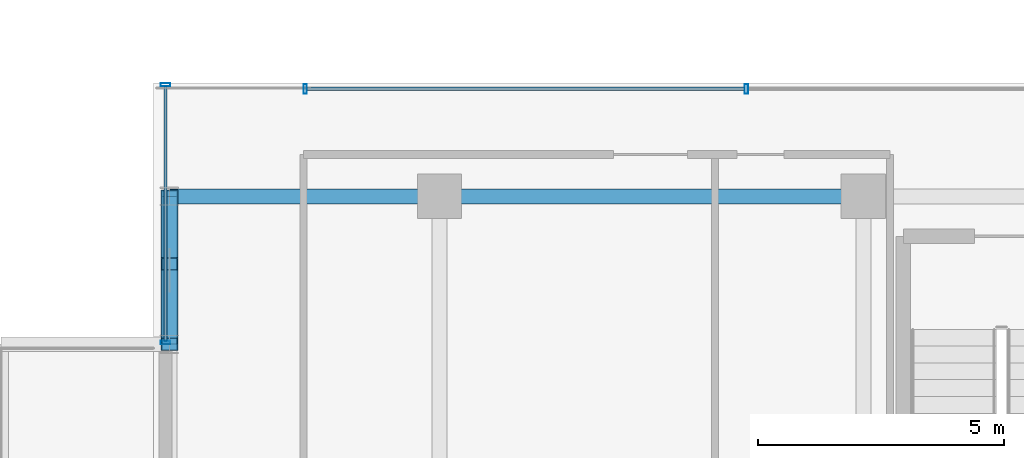
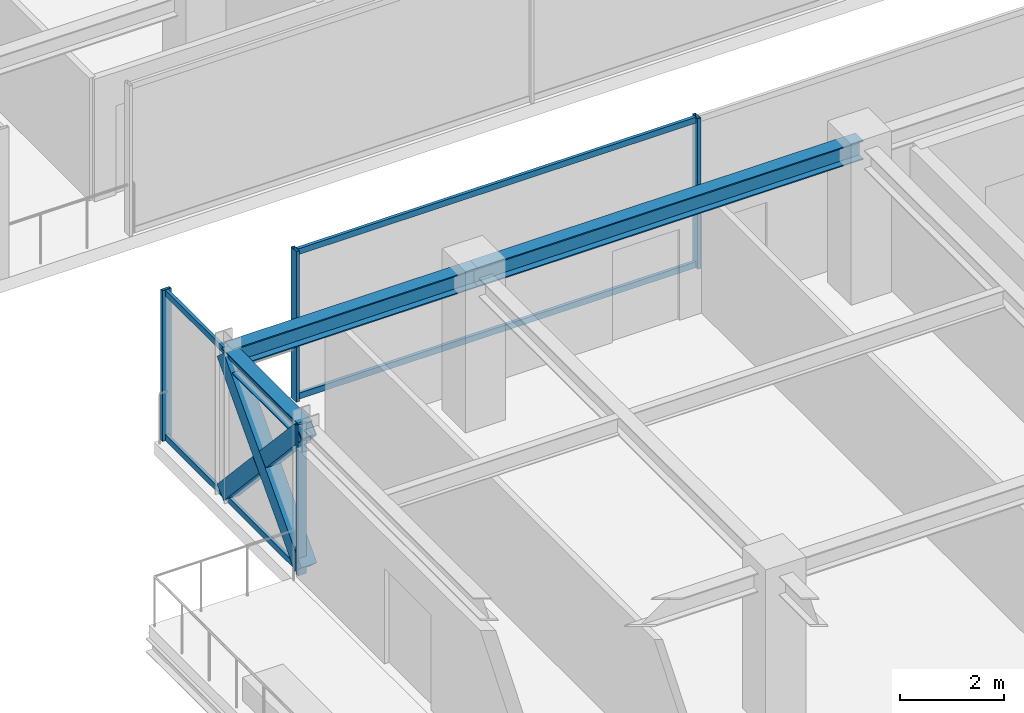
# One storey, part 9 of 37: 11 members, 3 beams, 2 elements without a shape of their own.
"""IFC4 building model written with IfcOpenShell, lengths in metres."""

from ifc_helpers import new_model, si_unit, direction, frame, origin, origin_2d, place, context, subcontext, project, spatial, hollow_rectangle, i_section, extrude, source, transform, mapped, material, material_profile, profile_set, type_object, element, aggregate, save


model = new_model("IFC4")

# Units and contexts
model_context = context("Model", 3, precision=1e-05, world=origin(), true_north=direction((0.0, 1.0)))
body_context = subcontext(model_context, "Body", "Model", "MODEL_VIEW")
ifc_project = project(units=[si_unit("LENGTHUNIT", "METRE"), si_unit("AREAUNIT", "SQUARE_METRE"), si_unit("VOLUMEUNIT", "CUBIC_METRE"), si_unit("PLANEANGLEUNIT", "RADIAN"), si_unit("MASSUNIT", "GRAM", prefix="KILO")], contexts=[model_context])

# Site, building, storey
site_placement = place(None, origin())
site = spatial("IfcSite", under=ifc_project, at=site_placement, CompositionType="ELEMENT")
building_placement = place(site_placement, origin())
building = spatial("IfcBuilding", under=site, at=building_placement, Name="Nahalor Promenade Grand Hotel", CompositionType="ELEMENT")
storey_placement = place(building_placement, frame((0.0, 0.0, 292.64990234375)))
storey = spatial("IfcBuildingStorey", under=building, at=storey_placement, Name="L75", CompositionType="ELEMENT", Elevation=292.64990234375)

# Beams
ifc_material_1 = material(Name="Steel S355JR", Category="steel")
ifc_material_profile_1 = material_profile(ifc_material_1, i_section(OverallWidth=0.3, OverallDepth=0.45, WebThickness=0.014, FlangeThickness=0.026, at=origin_2d()), Name="HEB 450")
ifc_profile_set_1 = profile_set([ifc_material_profile_1], Name="Steel S355JR")
beam_type_1 = type_object("IfcBeamType", Name="Beam-Girder-HEB450", PredefinedType="BEAM", material=ifc_profile_set_1)
shared_shape_1 = source(origin(), body_context, "Body", "SweptSolid", [
    extrude(i_section(OverallWidth=0.3, OverallDepth=0.45, WebThickness=0.014, FlangeThickness=0.026, at=origin_2d()), origin(), (0.0, 0.0, 1.0), 8.60009765625),
])
beam_1_placement = place(storey_placement, frame((-17.0, -5.39990234375, 3.3251953125), z_axis=(1.0, 0.0, 0.0), x_axis=(0.0, 1.0, 0.0)))
element("IfcBeam", 1, at=beam_1_placement, inside=storey, type_object=beam_type_1, Name="BM-L75-GX-1-1", PredefinedType="BEAM", context=body_context, shape_type="MappedRepresentation", body=[
    mapped(shared_shape_1, transform((0.0, 0.0, 0.0), scale=1.0)),
])
shared_shape_2 = source(origin(), body_context, "Body", "SweptSolid", [
    extrude(i_section(OverallWidth=0.3, OverallDepth=0.45, WebThickness=0.014, FlangeThickness=0.026, at=origin_2d()), origin(), (0.0, 0.0, 1.0), 5.47998046875),
])
beam_2_placement = place(storey_placement, frame((-22.47998046875, -5.39990234375, 3.3251953125), z_axis=(1.0, 0.0, 0.0), x_axis=(0.0, 1.0, 0.0)))
element("IfcBeam", 2, at=beam_2_placement, inside=storey, type_object=beam_type_1, Name="BM-L75-GX-1-0", PredefinedType="BEAM", context=body_context, shape_type="MappedRepresentation", body=[
    mapped(shared_shape_2, transform((0.0, 0.0, 0.0), scale=1.0)),
])
ifc_material_profile_2 = material_profile(ifc_material_1, i_section(OverallWidth=0.3, OverallDepth=0.36, WebThickness=0.0125, FlangeThickness=0.0225, at=origin_2d()), Name="HEB 360")
ifc_profile_set_2 = profile_set([ifc_material_profile_2], Name="Steel S355JR")
beam_type_2 = type_object("IfcBeamType", Name="Beam-Spandrel-HEB360", PredefinedType="SPANDREL", material=ifc_profile_set_2)
shared_shape_3 = source(origin(), body_context, "Body", "SweptSolid", [
    extrude(i_section(OverallWidth=0.3, OverallDepth=0.36, WebThickness=0.0125, FlangeThickness=0.0225, at=origin_2d()), origin(), (0.0, 0.0, 1.0), 3.0),
])
beam_3_placement = place(storey_placement, frame((-22.47998046875, -8.39990234375, 3.3701171875), z_axis=(0.0, 1.0, 0.0), x_axis=(-1.0, 0.0, 0.0)))
element("IfcBeam", 3, at=beam_3_placement, inside=storey, type_object=beam_type_2, Name="BM-L75-SP-W-1", PredefinedType="SPANDREL", context=body_context, shape_type="MappedRepresentation", body=[
    mapped(shared_shape_3, transform((0.0, 0.0, 0.0), scale=1.0)),
])

# Members
ifc_material_profile_3 = material_profile(ifc_material_1, hollow_rectangle(XDim=0.35, YDim=0.35, WallThickness=0.02, at=origin_2d()), Name="SHS 350x350x20")
ifc_profile_set_3 = profile_set([ifc_material_profile_3], Name="Steel S355JR")
member_type_1 = type_object("IfcMemberType", Name="Mem-VoidBrace-SHS350", PredefinedType="BRACE", material=ifc_profile_set_3)
shared_shape_4 = source(origin(), body_context, "Body", "SweptSolid", [
    extrude(hollow_rectangle(XDim=0.35, YDim=0.35, WallThickness=0.02, at=origin_2d()), origin(), (0.0, 0.0, 1.0), 4.4228515625),
])
member_1_placement = place(storey_placement, frame((-22.47998046875, -8.39990234375, 0.150146484375), z_axis=(0.0, 0.678280102733, 0.734803444627), x_axis=(-1.0, 0.0, 0.0)))
element("IfcMember", 4, at=member_1_placement, inside=storey, type_object=member_type_1, Name="EXO-L75-VX1-W0", PredefinedType="BRACE", context=body_context, shape_type="MappedRepresentation", body=[
    mapped(shared_shape_4, transform((0.0, 0.0, 0.0), scale=1.0)),
])
shared_shape_5 = source(origin(), body_context, "Body", "SweptSolid", [
    extrude(hollow_rectangle(XDim=0.35, YDim=0.35, WallThickness=0.02, at=origin_2d()), origin(), (0.0, 0.0, 1.0), 2.02392578125),
])
for number, where, z_axis, x_axis, name in (
    (5, (-22.47998046875, -5.39990234375, 0.150146484375), (0.0, -0.678315173958, 0.734771069639), (1.0, 0.0, 0.0), "EXO-L75-VX2-W0A"),
    (6, (-22.47998046875, -7.027099609375, 1.912841796875), (0.0, -0.678255053132, 0.734826566545), (1.0, 0.0, 0.0), "EXO-L75-VX2-W0B"),
):
    element("IfcMember", number, at=place(storey_placement, frame(where, z_axis=z_axis, x_axis=x_axis)), inside=storey, type_object=member_type_1, Name=name, PredefinedType="BRACE", context=body_context, shape_type="MappedRepresentation", body=[
        mapped(shared_shape_5, transform((0.0, 0.0, 0.0), scale=1.0)),
    ])

# Curtain wall, members
ifc_material_2 = material(Name="Anodised Bronze Aluminium EN AW-6063 T6", Category="aluminium")
curtain_wall_type = type_object("IfcCurtainWallType", Name="CW3 Elliptical-Void Collar Unitised Curtain Wall", PredefinedType="USERDEFINED", material=ifc_material_2)
curtain_wall_1_placement = place(storey_placement, origin())
curtain_wall_1 = element("IfcCurtainWall", 7, at=curtain_wall_1_placement, inside=storey, type_object=curtain_wall_type, Name="L75 Curtain Wall CW-L75-W-3", ObjectType="UNITISED_CURTAIN_WALL", PredefinedType="USERDEFINED")
ifc_material_profile_4 = material_profile(ifc_material_2, hollow_rectangle(XDim=0.07, YDim=0.14, WallThickness=0.004, at=origin_2d()), Name="CWT 70x140x4")
ifc_profile_set_4 = profile_set([ifc_material_profile_4], Name="Anodised Bronze Aluminium EN AW-6063 T6")
member_type_2 = type_object("IfcMemberType", Name="CWT3 Void Collar Transom 70x140", PredefinedType="USERDEFINED", material=ifc_profile_set_4)
shared_shape_6 = source(origin(), body_context, "Body", "SweptSolid", [
    extrude(hollow_rectangle(XDim=0.07, YDim=0.14, WallThickness=0.004, at=origin_2d()), origin(), (0.0, 0.0, 1.0), 5.16015625),
])
member_2_placement = place(storey_placement, frame((-22.56005859375, -8.330078125, 0.070068359375), z_axis=(0.0, 1.0, 0.0), x_axis=(-1.0, 0.0, 0.0)))
member_2 = element("IfcMember", 8, at=member_2_placement, type_object=member_type_2, Name="CW-L75-W-3 Transom 0-0", ObjectType="TRANSOM", PredefinedType="USERDEFINED", context=body_context, shape_type="MappedRepresentation", body=[
    mapped(shared_shape_6, transform((0.0, 0.0, 0.0), scale=1.0)),
])
member_3_placement = place(storey_placement, frame((-22.56005859375, -8.330078125, 3.47998046875), z_axis=(0.0, 1.0, 0.0), x_axis=(-1.0, 0.0, 0.0)))
member_3 = element("IfcMember", 9, at=member_3_placement, type_object=member_type_2, Name="CW-L75-W-3 Transom 0-1", ObjectType="TRANSOM", PredefinedType="USERDEFINED", context=body_context, shape_type="MappedRepresentation", body=[
    mapped(shared_shape_6, transform((0.0, 0.0, 0.0), scale=1.0)),
])

curtain_wall_2_placement = place(storey_placement, origin())
curtain_wall_2 = element("IfcCurtainWall", 10, at=curtain_wall_2_placement, inside=storey, type_object=curtain_wall_type, Name="L75 Curtain Wall CW-L75-VOID-WS1", ObjectType="UNITISED_CURTAIN_WALL", PredefinedType="USERDEFINED")
shared_shape_7 = source(origin(), body_context, "Body", "SweptSolid", [
    extrude(hollow_rectangle(XDim=0.07, YDim=0.14, WallThickness=0.004, at=origin_2d()), origin(), (0.0, 0.0, 1.0), 8.881591796875),
])
member_4_placement = place(storey_placement, frame((-19.68994140625, -3.219970703125, 0.070068359375), z_axis=(1.0, 0.0, 0.0), x_axis=(0.0, 1.0, 0.0)))
member_4 = element("IfcMember", 11, at=member_4_placement, type_object=member_type_2, Name="CW-L75-VOID-WS1 Transom 0-0", ObjectType="TRANSOM", PredefinedType="USERDEFINED", context=body_context, shape_type="MappedRepresentation", body=[
    mapped(shared_shape_7, transform((0.0, 0.0, 0.0), scale=1.0)),
])
member_5_placement = place(storey_placement, frame((-19.68994140625, -3.219970703125, 3.47998046875), z_axis=(1.0, 0.0, 0.0), x_axis=(0.0, 1.0, 0.0)))
member_5 = element("IfcMember", 12, at=member_5_placement, type_object=member_type_2, Name="CW-L75-VOID-WS1 Transom 0-1", ObjectType="TRANSOM", PredefinedType="USERDEFINED", context=body_context, shape_type="MappedRepresentation", body=[
    mapped(shared_shape_7, transform((0.0, 0.0, 0.0), scale=1.0)),
])

# Member
ifc_material_profile_5 = material_profile(ifc_material_2, hollow_rectangle(XDim=0.07, YDim=0.2, WallThickness=0.005, at=origin_2d()), Name="CWM 70x200x5")
ifc_profile_set_5 = profile_set([ifc_material_profile_5], Name="Anodised Bronze Aluminium EN AW-6063 T6")
member_type_3 = type_object("IfcMemberType", Name="CWM3 Void Collar Mullion 70x200", PredefinedType="MULLION", material=ifc_profile_set_5)
shared_shape_8 = source(origin(), body_context, "Body", "SweptSolid", [
    extrude(hollow_rectangle(XDim=0.07, YDim=0.2, WallThickness=0.005, at=origin_2d()), origin(), (0.0, 0.0, 1.0), 3.550048828125),
])
member_6_placement = place(storey_placement, frame((-22.56005859375, -8.364990234375, 0.0), z_axis=(0.0, 0.0, 1.0), x_axis=(0.0, 1.0, 0.0)))
member_6 = element("IfcMember", 13, at=member_6_placement, type_object=member_type_3, Name="CW-L75-W-3 Mullion 0", PredefinedType="MULLION", context=body_context, shape_type="MappedRepresentation", body=[
    mapped(shared_shape_8, transform((0.0, 0.0, 0.0), scale=1.0)),
])

member_7_placement = place(storey_placement, frame((-22.56005859375, -3.135009765625, 0.0), z_axis=(0.0, 0.0, 1.0), x_axis=(0.0, 1.0, 0.0)))
member_7 = element("IfcMember", 14, at=member_7_placement, type_object=member_type_3, Name="CW-L75-W-3 Mullion 1", PredefinedType="MULLION", context=body_context, shape_type="MappedRepresentation", body=[
    mapped(shared_shape_8, transform((0.0, 0.0, 0.0), scale=1.0)),
])

aggregate(curtain_wall_1, [member_6, member_7, member_2, member_3])

member_8_placement = place(storey_placement, frame((-19.72509765625, -3.219970703125, 0.0), z_axis=(0.0, 0.0, 1.0), x_axis=(1.0, 0.0, 0.0)))
member_8 = element("IfcMember", 15, at=member_8_placement, type_object=member_type_3, Name="CW-L75-VOID-WS1 Mullion 0", PredefinedType="MULLION", context=body_context, shape_type="MappedRepresentation", body=[
    mapped(shared_shape_8, transform((0.0, 0.0, 0.0), scale=1.0)),
])

member_9_placement = place(storey_placement, frame((-10.7734375, -3.219970703125, 0.0), z_axis=(0.0, 0.0, 1.0), x_axis=(1.0, 0.0, 0.0)))
member_9 = element("IfcMember", 16, at=member_9_placement, type_object=member_type_3, Name="CW-L75-VOID-WS1 Mullion 1", PredefinedType="MULLION", context=body_context, shape_type="MappedRepresentation", body=[
    mapped(shared_shape_8, transform((0.0, 0.0, 0.0), scale=1.0)),
])

aggregate(curtain_wall_2, [member_8, member_9, member_4, member_5])

save(model, "model.ifc")
